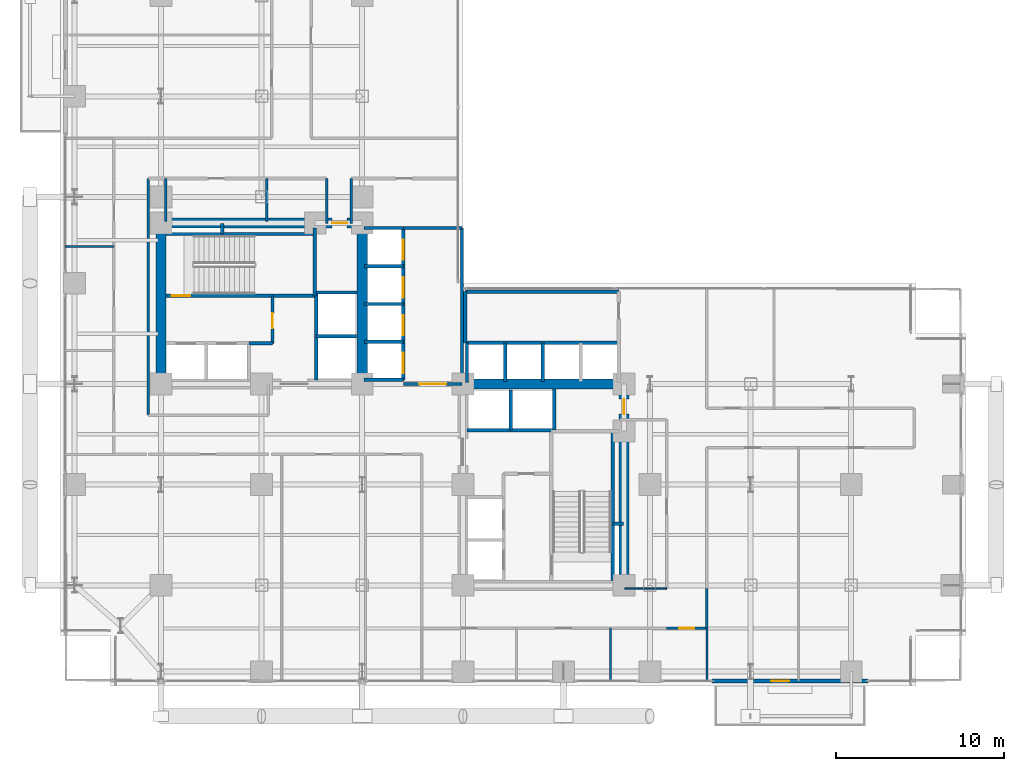
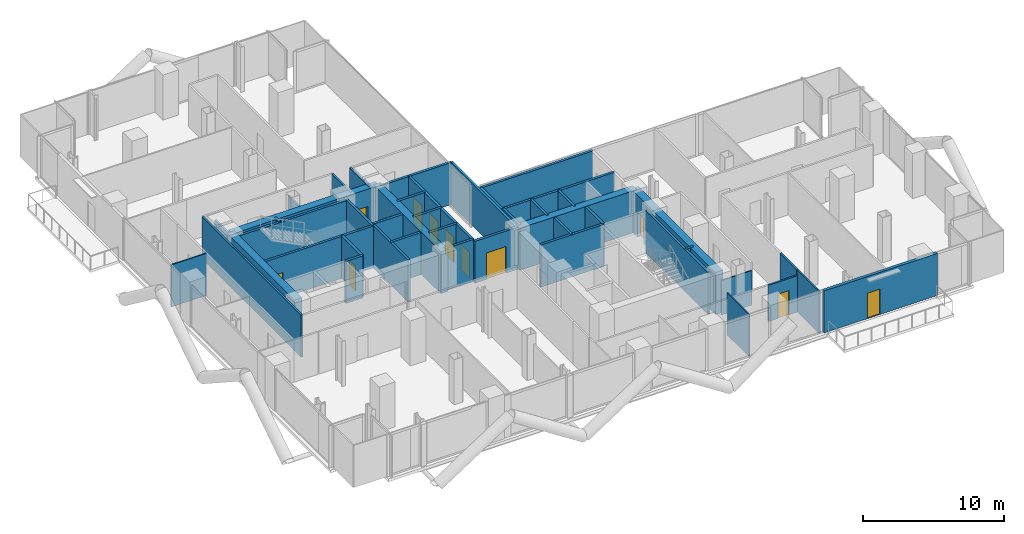
# One storey, part 22 of 27: 46 walls, 11 doors, 11 openings.
"""IFC4 building model written with IfcOpenShell, lengths in metres."""

from ifc_helpers import new_model, si_unit, direction, frame, frame_2d, origin, place, context, subcontext, project, spatial, rectangle, extrude, material, layer, layer_set, type_object, element, fill, save


model = new_model("IFC4")

# Units and contexts
model_context = context("Model", 3, precision=1e-05, world=origin(), true_north=direction((0.0, 1.0)))
body_context = subcontext(model_context, "Body", "Model", "MODEL_VIEW")
ifc_project = project(units=[si_unit("LENGTHUNIT", "METRE"), si_unit("AREAUNIT", "SQUARE_METRE"), si_unit("VOLUMEUNIT", "CUBIC_METRE"), si_unit("PLANEANGLEUNIT", "RADIAN"), si_unit("MASSUNIT", "GRAM", prefix="KILO"), si_unit("THERMODYNAMICTEMPERATUREUNIT", "KELVIN"), si_unit("POWERUNIT", "WATT")], contexts=[model_context])

# Site, building, storey
site_placement = place(None, origin())
site = spatial("IfcSite", under=ifc_project, at=site_placement, CompositionType="ELEMENT")
building_placement = place(site_placement, origin())
building = spatial("IfcBuilding", under=site, at=building_placement, Name="Svarakhadi Broadcast Tower", CompositionType="ELEMENT")
storey_placement = place(building_placement, frame((0.0, 0.0, 40.199951171875)))
storey = spatial("IfcBuildingStorey", under=building, at=storey_placement, Name="L08", CompositionType="ELEMENT", Elevation=40.199951171875)

# Wall, opening, door
ifc_material_1 = material(Name="Concrete C40/50 (IS 456 M50)", Category="concrete")
ifc_layer_1 = layer(ifc_material_1, 0.239990234375)
ifc_layer_set_1 = layer_set([ifc_layer_1], Name="Concrete C40/50 (IS 456 M50)")
wall_type_1 = type_object("IfcWallType", Name="Wall_Ext_240", PredefinedType="SOLIDWALL", material=ifc_layer_set_1)
wall_1_placement = place(storey_placement, frame((48.14501953125, 0.300048828125, 0.0), z_axis=(0.0, 0.0, 1.0), x_axis=(-1.0, 0.0, 0.0)))
wall_1 = element("IfcWall", 1, at=wall_1_placement, inside=storey, type_object=wall_type_1, Name="L08 South Tree Balcony Spandrel Wall", PredefinedType="SOLIDWALL", context=body_context, shape_type="SweptSolid", body=[
    extrude(rectangle(XDim=9.2900390625, YDim=0.239990234375, at=frame_2d((4.64501953125, 0.0))), origin(), (0.0, 0.0, 1.0), 3.650146484375),
])
opening_1_placement = place(wall_1_placement, frame((4.699951171875, 0.0, 0.0)))
opening_1 = element("IfcOpeningElement", 2, at=opening_1_placement, cuts=wall_1, Name="Opening ED-06", PredefinedType="OPENING", context=body_context, shape_type="SweptSolid", body=[
    extrude(rectangle(XDim=1.050048828125, YDim=2.199951171875, at=frame_2d((0.52490234375, 1.10009765625))), frame((0.0, 0.1298828125, 0.0), z_axis=(0.0, -1.0, 0.0), x_axis=(1.0, 0.0, 0.0)), (0.0, 0.0, 1.0), 0.260009765625),
])
ifc_material_2 = material(Name="Anodised Bronze Aluminium AA 6063-T6", Category="aluminium")
door_type_1 = type_object("IfcDoorType", Name="Door_Ext_ED06", OperationType="SINGLE_SWING_RIGHT", PredefinedType="DOOR", material=ifc_material_2)
door_1_placement = place(opening_1_placement, origin())
door_1 = element("IfcDoor", 3, at=door_1_placement, inside=storey, type_object=door_type_1, Name="L08 South Tree Balcony Door", OperationType="SINGLE_SWING_RIGHT", OverallHeight=2.199951171875, OverallWidth=1.050048828125, PredefinedType="DOOR", context=body_context, shape_type="SweptSolid", body=[
    extrude(rectangle(XDim=1.050048828125, YDim=2.199951171875, at=frame_2d((0.52490234375, 1.10009765625))), frame((0.0, 0.02490234375, 0.0), z_axis=(0.0, -1.0, 0.0), x_axis=(1.0, 0.0, 0.0)), (0.0, 0.0, 1.0), 0.050048828125),
])
fill(opening_1, door_1)

# Walls
ifc_layer_2 = layer(ifc_material_1, 0.199951171875)
ifc_layer_set_2 = layer_set([ifc_layer_2], Name="Concrete C40/50 (IS 456 M50)")
wall_type_2 = type_object("IfcWallType", Name="Wall_Fire_200", PredefinedType="SOLIDWALL", material=ifc_layer_set_2)
for number, where, z_axis, x_axis, name in (
    (4, (9.659912109375, 26.93994140625, 0.0), (0.0, 0.0, 1.0), (0.0, 1.0, 0.0), "L08 Wet Riser Shaft East Wall"),
    (5, (32.93994140625, 9.659912109375, 0.0), (0.0, 0.0, 1.0), (1.0, 0.0, 0.0), "L08 HV Busduct Riser Shaft North Wall"),
):
    element("IfcWall", number, at=place(storey_placement, frame(where, z_axis=z_axis, x_axis=x_axis)), inside=storey, type_object=wall_type_2, Name=name, PredefinedType="SOLIDWALL", context=body_context, shape_type="SweptSolid", body=[
        extrude(rectangle(XDim=0.64013671875, YDim=0.199951171875, at=frame_2d((0.320068359375, 0.0))), origin(), (0.0, 0.0, 1.0), 3.650146484375),
    ])
ifc_material_3 = material(Name="Fire-Rated Moisture-Resistant Gypsum Board Partition", Category="gypsum")
ifc_layer_3 = layer(ifc_material_3, 0.10009765625)
ifc_layer_set_3 = layer_set([ifc_layer_3], Name="Fire-Rated Moisture-Resistant Gypsum Board Partition")
wall_type_3 = type_object("IfcWallType", Name="Wall_Part_100", PredefinedType="PARTITIONING", material=ifc_layer_set_3)
wall_2_placement = place(storey_placement, frame((0.300048828125, 26.199951171875, 0.0), z_axis=(0.0, 0.0, 1.0), x_axis=(1.0, 0.0, 0.0)))
element("IfcWall", 6, at=wall_2_placement, inside=storey, type_object=wall_type_3, Name="L08 Live Translation Studio Wall", PredefinedType="PARTITIONING", context=body_context, shape_type="SweptSolid", body=[
    extrude(rectangle(XDim=2.89990234375, YDim=0.10009765625, at=frame_2d((1.449951171875, 0.0))), origin(), (0.0, 0.0, 1.0), 3.650146484375),
])
for number, where, z_axis, x_axis, name in (
    (7, (32.800048828125, 0.300048828125, 0.0), (0.0, 0.0, 1.0), (0.0, 1.0, 0.0), "L08 Media Legal Review Office Wall"),
    (8, (38.550048828125, 0.300048828125, 0.0), (0.0, 0.0, 1.0), (0.0, 1.0, 0.0), "L08 Broadcast Staff Refreshment Pantry Wall"),
):
    element("IfcWall", number, at=place(storey_placement, frame(where, z_axis=z_axis, x_axis=x_axis)), inside=storey, type_object=wall_type_3, Name=name, PredefinedType="PARTITIONING", context=body_context, shape_type="SweptSolid", body=[
        extrude(rectangle(XDim=3.14990234375, YDim=0.10009765625, at=frame_2d((1.574951171875, 0.0))), origin(), (0.0, 0.0, 1.0), 3.650146484375),
    ])
wall_3_placement = place(storey_placement, frame((33.64990234375, 5.800048828125, 0.0), z_axis=(0.0, 0.0, 1.0), x_axis=(1.0, 0.0, 0.0)))
element("IfcWall", 9, at=wall_3_placement, inside=storey, type_object=wall_type_3, Name="L08 Live Feed Monitoring Studio Wall", PredefinedType="PARTITIONING", context=body_context, shape_type="SweptSolid", body=[
    extrude(rectangle(XDim=2.5, YDim=0.10009765625, at=frame_2d((1.25, 0.0))), origin(), (0.0, 0.0, 1.0), 2.991943359375),
])
ifc_material_4 = material(Name="Autoclaved Aerated Concrete Blockwork 150 mm", Category="masonry")
ifc_layer_4 = layer(ifc_material_4, 0.14990234375)
ifc_layer_set_4 = layer_set([ifc_layer_4], Name="Autoclaved Aerated Concrete Blockwork 150 mm")
wall_type_4 = type_object("IfcWallType", Name="Wall_Part_150", PredefinedType="PARTITIONING", material=ifc_layer_set_4)
wall_4_placement = place(storey_placement, frame((38.550048828125, 5.800048828125, 0.0), z_axis=(0.0, 0.0, 1.0), x_axis=(0.0, -1.0, 0.0)))
element("IfcWall", 10, at=wall_4_placement, inside=storey, type_object=wall_type_4, Name="L08 Broadcast Corridor Wall", PredefinedType="PARTITIONING", context=body_context, shape_type="SweptSolid", body=[
    extrude(rectangle(XDim=2.35009765625, YDim=0.14990234375, at=frame_2d((1.175048828125, 0.0))), origin(), (0.0, 0.0, 1.0), 3.650146484375),
])

# Wall, opening, door
wall_5_placement = place(storey_placement, frame((38.550048828125, 3.449951171875, 0.0), z_axis=(0.0, 0.0, 1.0), x_axis=(-1.0, 0.0, 0.0)))
wall_5 = element("IfcWall", 11, at=wall_5_placement, inside=storey, type_object=wall_type_4, Name="L08 Broadcast Corridor Wall", PredefinedType="PARTITIONING", context=body_context, shape_type="SweptSolid", body=[
    extrude(rectangle(XDim=2.400146484375, YDim=0.14990234375, at=frame_2d((1.2001953125, 0.0))), origin(), (0.0, 0.0, 1.0), 3.14208984375),
])
opening_2_placement = place(wall_5_placement, frame((0.75, 0.0, 0.0)))
opening_2 = element("IfcOpeningElement", 12, at=opening_2_placement, cuts=wall_5, Name="Opening D-15", PredefinedType="OPENING", context=body_context, shape_type="SweptSolid", body=[
    extrude(rectangle(XDim=0.89990234375, YDim=2.10009765625, at=frame_2d((0.449951171875, 1.050048828125))), frame((0.0, 0.0849609375, 0.0), z_axis=(0.0, -1.0, 0.0), x_axis=(1.0, 0.0, 0.0)), (0.0, 0.0, 1.0), 0.169921875),
])
ifc_material_5 = material(Name="Solid-Core Teak Veneer Acoustic Timber Leaf", Category="wood")
door_type_2 = type_object("IfcDoorType", Name="Door_Int_D15", OperationType="SINGLE_SWING_RIGHT", PredefinedType="DOOR", material=ifc_material_5)
door_2_placement = place(opening_2_placement, origin())
door_2 = element("IfcDoor", 13, at=door_2_placement, inside=storey, type_object=door_type_2, Name="L08 Broadcast Staff Refreshment Pantry Door", OperationType="SINGLE_SWING_RIGHT", OverallHeight=2.10009765625, OverallWidth=0.89990234375, PredefinedType="DOOR", context=body_context, shape_type="SweptSolid", body=[
    extrude(rectangle(XDim=0.89990234375, YDim=2.10009765625, at=frame_2d((0.449951171875, 1.050048828125))), frame((0.0, 0.02490234375, 0.0), z_axis=(0.0, -1.0, 0.0), x_axis=(1.0, 0.0, 0.0)), (0.0, 0.0, 1.0), 0.050048828125),
])
fill(opening_2, door_2)

# Walls
for number, where, z_axis, x_axis, name in (
    (14, (17.35009765625, 30.25, 0.0), (0.0, 0.0, 1.0), (0.0, -1.0, 0.0), "L08 Broadcast Corridor Wall"),
    (15, (15.8798828125, 27.580078125, 0.0), (0.0, 0.0, 1.0), (0.0, 1.0, 0.0), "L08 Broadcast Corridor Wall"),
):
    element("IfcWall", number, at=place(storey_placement, frame(where, z_axis=z_axis, x_axis=x_axis)), inside=storey, type_object=wall_type_4, Name=name, PredefinedType="PARTITIONING", context=body_context, shape_type="SweptSolid", body=[
        extrude(rectangle(XDim=2.669921875, YDim=0.14990234375, at=frame_2d((1.3349609375, 0.0))), origin(), (0.0, 0.0, 1.0), 3.650146484375),
    ])
wall_6_placement = place(storey_placement, frame((5.25, 30.25, 0.0), z_axis=(0.0, 0.0, 1.0), x_axis=(0.0, -1.0, 0.0)))
element("IfcWall", 16, at=wall_6_placement, inside=storey, type_object=wall_type_4, Name="L08 Broadcast Corridor Wall", PredefinedType="PARTITIONING", context=body_context, shape_type="SweptSolid", body=[
    extrude(rectangle(XDim=14.10009765625, YDim=0.14990234375, at=frame_2d((7.050048828125, 0.0))), origin(), (0.0, 0.0, 1.0), 3.650146484375),
])
for number, where, z_axis, x_axis, name in (
    (17, (6.300048828125, 27.679931640625, 0.0), (0.0, 0.0, 1.0), (0.0, 1.0, 0.0), "L08 Accessible Toilet WC Wall"),
    (18, (12.300048828125, 27.679931640625, 0.0), (0.0, 0.0, 1.0), (0.0, 1.0, 0.0), "L08 Accessible Toilet WC Wall"),
):
    element("IfcWall", number, at=place(storey_placement, frame(where, z_axis=z_axis, x_axis=x_axis)), inside=storey, type_object=wall_type_4, Name=name, PredefinedType="PARTITIONING", context=body_context, shape_type="SweptSolid", body=[
        extrude(rectangle(XDim=2.570068359375, YDim=0.14990234375, at=frame_2d((1.28515625, 0.0))), origin(), (0.0, 0.0, 1.0), 2.991943359375),
    ])

# Wall, opening, door
ifc_material_6 = material(Name="Concrete C50/60 (IS 456 M60)", Category="concrete")
ifc_layer_5 = layer(ifc_material_6, 0.199951171875)
ifc_layer_set_5 = layer_set([ifc_layer_5], Name="Concrete C50/60 (IS 456 M60)")
wall_type_5 = type_object("IfcWallType", Name="Wall_Shear_200", PredefinedType="SHEAR", material=ifc_layer_set_5)
wall_7_placement = place(storey_placement, frame((6.300048828125, 23.260009765625, 0.0), z_axis=(0.0, 0.0, 1.0), x_axis=(1.0, 0.0, 0.0)))
wall_7 = element("IfcWall", 19, at=wall_7_placement, inside=storey, type_object=wall_type_5, Name="L08 Stair ST-01 South RC Shaft Wall", PredefinedType="SHEAR", context=body_context, shape_type="SweptSolid", body=[
    extrude(rectangle(XDim=8.8798828125, YDim=0.199951171875, at=frame_2d((4.43994140625, 0.0))), origin(), (0.0, 0.0, 1.0), 3.650146484375),
])
opening_3_placement = place(wall_7_placement, frame((0.35009765625, 0.0, 0.0)))
opening_3 = element("IfcOpeningElement", 20, at=opening_3_placement, cuts=wall_7, Name="Opening D-01", PredefinedType="OPENING", context=body_context, shape_type="SweptSolid", body=[
    extrude(rectangle(XDim=1.10009765625, YDim=2.199951171875, at=frame_2d((0.550048828125, 1.10009765625))), frame((0.0, 0.10986328125, 0.0), z_axis=(0.0, -1.0, 0.0), x_axis=(1.0, 0.0, 0.0)), (0.0, 0.0, 1.0), 0.219970703125),
])
ifc_material_7 = material(Name="Galvanised Powder-Coated Fire-Rated Steel Leaf", Category="steel")
door_type_3 = type_object("IfcDoorType", Name="Door_Stair_D01", OperationType="SINGLE_SWING_LEFT", PredefinedType="DOOR", material=ifc_material_7)
door_3_placement = place(opening_3_placement, origin())
door_3 = element("IfcDoor", 21, at=door_3_placement, inside=storey, type_object=door_type_3, Name="L08 Protected Exit Stair ST-01 Fire Door", OperationType="SINGLE_SWING_LEFT", OverallHeight=2.199951171875, OverallWidth=1.10009765625, PredefinedType="DOOR", context=body_context, shape_type="SweptSolid", body=[
    extrude(rectangle(XDim=1.10009765625, YDim=2.199951171875, at=frame_2d((0.550048828125, 1.10009765625))), frame((0.0, 0.02490234375, 0.0), z_axis=(0.0, -1.0, 0.0), x_axis=(1.0, 0.0, 0.0)), (0.0, 0.0, 1.0), 0.050048828125),
])
fill(opening_3, door_3)

# Walls
wall_8_placement = place(storey_placement, frame((6.300048828125, 26.93994140625, 0.0), z_axis=(0.0, 0.0, 1.0), x_axis=(1.0, 0.0, 0.0)))
element("IfcWall", 22, at=wall_8_placement, inside=storey, type_object=wall_type_5, Name="L08 Stair ST-01 North RC Shaft Wall", PredefinedType="SHEAR", context=body_context, shape_type="SweptSolid", body=[
    extrude(rectangle(XDim=8.8798828125, YDim=0.199951171875, at=frame_2d((4.43994140625, 0.0))), origin(), (0.0, 0.0, 1.0), 3.650146484375),
])
wall_9_placement = place(storey_placement, frame((15.179931640625, 23.260009765625, 0.0), z_axis=(0.0, 0.0, 1.0), x_axis=(0.0, 1.0, 0.0)))
element("IfcWall", 23, at=wall_9_placement, inside=storey, type_object=wall_type_5, Name="L08 Stair ST-01 East RC Shaft Wall", PredefinedType="SHEAR", context=body_context, shape_type="SweptSolid", body=[
    extrude(rectangle(XDim=4.0400390625, YDim=0.199951171875, at=frame_2d((2.02001953125, 0.0))), origin(), (0.0, 0.0, 1.0), 3.650146484375),
])
wall_10_placement = place(storey_placement, frame((32.93994140625, 6.300048828125, 0.0), z_axis=(0.0, 0.0, 1.0), x_axis=(0.0, 1.0, 0.0)))
element("IfcWall", 24, at=wall_10_placement, inside=storey, type_object=wall_type_5, Name="L08 Stair ST-02 East RC Shaft Wall", PredefinedType="SHEAR", context=body_context, shape_type="SweptSolid", body=[
    extrude(rectangle(XDim=8.8798828125, YDim=0.199951171875, at=frame_2d((4.43994140625, 0.0))), origin(), (0.0, 0.0, 1.0), 3.650146484375),
])
wall_11_placement = place(storey_placement, frame((11.25, 20.419921875, 0.0), z_axis=(0.0, 0.0, 1.0), x_axis=(1.0, 0.0, 0.0)))
element("IfcWall", 25, at=wall_11_placement, inside=storey, type_object=wall_type_5, Name="L08 West Firefighting Lobby South Wall", PredefinedType="SHEAR", context=body_context, shape_type="SweptSolid", body=[
    extrude(rectangle(XDim=1.39990234375, YDim=0.199951171875, at=frame_2d((0.699951171875, 0.0))), origin(), (0.0, 0.0, 1.0), 3.650146484375),
])

# Wall, opening, door
wall_12_placement = place(storey_placement, frame((12.64990234375, 20.419921875, 0.0), z_axis=(0.0, 0.0, 1.0), x_axis=(0.0, 1.0, 0.0)))
wall_12 = element("IfcWall", 26, at=wall_12_placement, inside=storey, type_object=wall_type_5, Name="L08 West Firefighting Lobby East Wall", PredefinedType="SHEAR", context=body_context, shape_type="SweptSolid", body=[
    extrude(rectangle(XDim=2.840087890625, YDim=0.199951171875, at=frame_2d((1.419921875, 0.0))), origin(), (0.0, 0.0, 1.0), 3.650146484375),
])
opening_4_placement = place(wall_12_placement, frame((0.89990234375, 0.0, 0.0)))
opening_4 = element("IfcOpeningElement", 27, at=opening_4_placement, cuts=wall_12, Name="Opening D-03", PredefinedType="OPENING", context=body_context, shape_type="SweptSolid", body=[
    extrude(rectangle(XDim=0.89990234375, YDim=2.14990234375, at=frame_2d((0.449951171875, 1.074951171875))), frame((0.0, 0.10986328125, 0.0), z_axis=(0.0, -1.0, 0.0), x_axis=(1.0, 0.0, 0.0)), (0.0, 0.0, 1.0), 0.219970703125),
])
door_type_4 = type_object("IfcDoorType", Name="Door_Fire_D03", OperationType="SINGLE_SWING_LEFT", PredefinedType="DOOR", material=ifc_material_7)
door_4_placement = place(opening_4_placement, origin())
door_4 = element("IfcDoor", 28, at=door_4_placement, inside=storey, type_object=door_type_4, Name="L08 West Firefighting Lobby Fire Door", OperationType="SINGLE_SWING_LEFT", OverallHeight=2.14990234375, OverallWidth=0.89990234375, PredefinedType="DOOR", context=body_context, shape_type="SweptSolid", body=[
    extrude(rectangle(XDim=0.89990234375, YDim=2.14990234375, at=frame_2d((0.449951171875, 1.074951171875))), frame((0.0, 0.02490234375, 0.0), z_axis=(0.0, -1.0, 0.0), x_axis=(1.0, 0.0, 0.0)), (0.0, 0.0, 1.0), 0.050048828125),
])
fill(opening_4, door_4)

# Walls
wall_13_placement = place(storey_placement, frame((15.25, 18.25, 0.0), z_axis=(0.0, 0.0, 1.0), x_axis=(0.0, 1.0, 0.0)))
element("IfcWall", 29, at=wall_13_placement, inside=storey, type_object=wall_type_5, Name="L08 High-Rise Lift LF-13/14 West Shaft Wall", PredefinedType="SHEAR", context=body_context, shape_type="SweptSolid", body=[
    extrude(rectangle(XDim=5.199951171875, YDim=0.199951171875, at=frame_2d((2.60009765625, 0.0))), origin(), (0.0, 0.0, 1.0), 3.650146484375),
])
wall_14_placement = place(storey_placement, frame((15.25, 20.85009765625, 0.0), z_axis=(0.0, 0.0, 1.0), x_axis=(1.0, 0.0, 0.0)))
element("IfcWall", 30, at=wall_14_placement, inside=storey, type_object=wall_type_5, Name="L08 High-Rise Lift LF-13/14 Divider", PredefinedType="SHEAR", context=body_context, shape_type="SweptSolid", body=[
    extrude(rectangle(XDim=2.39990234375, YDim=0.199951171875, at=frame_2d((1.199951171875, 0.0))), origin(), (0.0, 0.0, 1.0), 3.650146484375),
])
wall_15_placement = place(storey_placement, frame((15.25, 23.449951171875, 0.0), z_axis=(0.0, 0.0, 1.0), x_axis=(1.0, 0.0, 0.0)))
element("IfcWall", 31, at=wall_15_placement, inside=storey, type_object=wall_type_5, Name="L08 High-Rise Lift LF-13/14 North Wall", PredefinedType="SHEAR", context=body_context, shape_type="SweptSolid", body=[
    extrude(rectangle(XDim=2.449951171875, YDim=0.199951171875, at=frame_2d((1.22509765625, 0.0))), origin(), (0.0, 0.0, 1.0), 3.650146484375),
])
wall_16_placement = place(storey_placement, frame((24.25, 15.25, 0.0), z_axis=(0.0, 0.0, 1.0), x_axis=(1.0, 0.0, 0.0)))
element("IfcWall", 32, at=wall_16_placement, inside=storey, type_object=wall_type_5, Name="L08 High-Rise Lift LF-15/16 South Shaft Wall", PredefinedType="SHEAR", context=body_context, shape_type="SweptSolid", body=[
    extrude(rectangle(XDim=5.199951171875, YDim=0.199951171875, at=frame_2d((2.60009765625, 0.0))), origin(), (0.0, 0.0, 1.0), 3.650146484375),
])
wall_17_placement = place(storey_placement, frame((26.85009765625, 15.25, 0.0), z_axis=(0.0, 0.0, 1.0), x_axis=(0.0, 1.0, 0.0)))
element("IfcWall", 33, at=wall_17_placement, inside=storey, type_object=wall_type_5, Name="L08 High-Rise Lift LF-15/16 Divider", PredefinedType="SHEAR", context=body_context, shape_type="SweptSolid", body=[
    extrude(rectangle(XDim=2.39990234375, YDim=0.199951171875, at=frame_2d((1.199951171875, 0.0))), origin(), (0.0, 0.0, 1.0), 3.650146484375),
])
wall_18_placement = place(storey_placement, frame((29.449951171875, 15.25, 0.0), z_axis=(0.0, 0.0, 1.0), x_axis=(0.0, 1.0, 0.0)))
element("IfcWall", 34, at=wall_18_placement, inside=storey, type_object=wall_type_5, Name="L08 High-Rise Lift LF-15/16 East Wall", PredefinedType="SHEAR", context=body_context, shape_type="SweptSolid", body=[
    extrude(rectangle(XDim=2.449951171875, YDim=0.199951171875, at=frame_2d((1.22509765625, 0.0))), origin(), (0.0, 0.0, 1.0), 3.650146484375),
])
for number, where, z_axis, x_axis, name in (
    (35, (18.10009765625, 27.300048828125, 0.0), (0.0, 0.0, 1.0), (1.0, 0.0, 0.0), "L08 Bank A North Shaft Wall"),
    (36, (18.10009765625, 18.25, 0.0), (0.0, 0.0, 1.0), (1.0, 0.0, 0.0), "L08 Bank A South Shaft Wall"),
):
    element("IfcWall", number, at=place(storey_placement, frame(where, z_axis=z_axis, x_axis=x_axis)), inside=storey, type_object=wall_type_5, Name=name, PredefinedType="SHEAR", context=body_context, shape_type="SweptSolid", body=[
        extrude(rectangle(XDim=2.349853515625, YDim=0.199951171875, at=frame_2d((1.1748046875, 0.0))), origin(), (0.0, 0.0, 1.0), 3.650146484375),
    ])

# Wall, openings, doors
wall_19_placement = place(storey_placement, frame((20.449951171875, 18.25, 0.0), z_axis=(0.0, 0.0, 1.0), x_axis=(0.0, 1.0, 0.0)))
wall_19 = element("IfcWall", 37, at=wall_19_placement, inside=storey, type_object=wall_type_5, Name="L08 Bank A East Landing Wall", PredefinedType="SHEAR", context=body_context, shape_type="SweptSolid", body=[
    extrude(rectangle(XDim=9.050048828125, YDim=0.199951171875, at=frame_2d((4.52490234375, 0.0))), origin(), (0.0, 0.0, 1.0), 3.650146484375),
])
opening_5_placement = place(wall_19_placement, frame((0.39990234375, 0.0, 0.0)))
opening_5 = element("IfcOpeningElement", 38, at=opening_5_placement, cuts=wall_19, Name="Opening LD-02", PredefinedType="OPENING", context=body_context, shape_type="SweptSolid", body=[
    extrude(rectangle(XDim=1.199951171875, YDim=2.199951171875, at=frame_2d((0.60009765625, 1.10009765625))), frame((0.0, 0.10986328125, 0.0), z_axis=(0.0, -1.0, 0.0), x_axis=(1.0, 0.0, 0.0)), (0.0, 0.0, 1.0), 0.219970703125),
])
opening_6_placement = place(wall_19_placement, frame((2.64990234375, 0.0, 0.0)))
opening_6 = element("IfcOpeningElement", 39, at=opening_6_placement, cuts=wall_19, Name="Opening LD-02", PredefinedType="OPENING", context=body_context, shape_type="SweptSolid", body=[
    extrude(rectangle(XDim=1.199951171875, YDim=2.199951171875, at=frame_2d((0.60009765625, 1.10009765625))), frame((0.0, 0.10986328125, 0.0), z_axis=(0.0, -1.0, 0.0), x_axis=(1.0, 0.0, 0.0)), (0.0, 0.0, 1.0), 0.219970703125),
])
opening_7_placement = place(wall_19_placement, frame((4.89990234375, 0.0, 0.0)))
opening_7 = element("IfcOpeningElement", 40, at=opening_7_placement, cuts=wall_19, Name="Opening LD-02", PredefinedType="OPENING", context=body_context, shape_type="SweptSolid", body=[
    extrude(rectangle(XDim=1.199951171875, YDim=2.199951171875, at=frame_2d((0.60009765625, 1.10009765625))), frame((0.0, 0.10986328125, 0.0), z_axis=(0.0, -1.0, 0.0), x_axis=(1.0, 0.0, 0.0)), (0.0, 0.0, 1.0), 0.219970703125),
])
opening_8_placement = place(wall_19_placement, frame((7.14990234375, 0.0, 0.0)))
opening_8 = element("IfcOpeningElement", 41, at=opening_8_placement, cuts=wall_19, Name="Opening LD-02", PredefinedType="OPENING", context=body_context, shape_type="SweptSolid", body=[
    extrude(rectangle(XDim=1.199951171875, YDim=2.199951171875, at=frame_2d((0.60009765625, 1.10009765625))), frame((0.0, 0.10986328125, 0.0), z_axis=(0.0, -1.0, 0.0), x_axis=(1.0, 0.0, 0.0)), (0.0, 0.0, 1.0), 0.219970703125),
])
door_type_5 = type_object("IfcDoorType", Name="Door_Lift_LD02", OperationType="SLIDING_TO_RIGHT", PredefinedType="DOOR", material=ifc_material_7)
door_5_placement = place(opening_5_placement, origin())
door_5 = element("IfcDoor", 42, at=door_5_placement, inside=storey, type_object=door_type_5, Name="L08 Low-Rise Lift LF-05 Landing Door", OperationType="SLIDING_TO_RIGHT", OverallHeight=2.199951171875, OverallWidth=1.199951171875, PredefinedType="DOOR", context=body_context, shape_type="SweptSolid", body=[
    extrude(rectangle(XDim=1.199951171875, YDim=2.199951171875, at=frame_2d((0.60009765625, 1.10009765625))), frame((0.0, 0.02490234375, 0.0), z_axis=(0.0, -1.0, 0.0), x_axis=(1.0, 0.0, 0.0)), (0.0, 0.0, 1.0), 0.050048828125),
])
fill(opening_5, door_5)
door_6_placement = place(opening_6_placement, origin())
door_6 = element("IfcDoor", 43, at=door_6_placement, inside=storey, type_object=door_type_5, Name="L08 Low-Rise Lift LF-06 Landing Door", OperationType="SLIDING_TO_RIGHT", OverallHeight=2.199951171875, OverallWidth=1.199951171875, PredefinedType="DOOR", context=body_context, shape_type="SweptSolid", body=[
    extrude(rectangle(XDim=1.199951171875, YDim=2.199951171875, at=frame_2d((0.60009765625, 1.10009765625))), frame((0.0, 0.02490234375, 0.0), z_axis=(0.0, -1.0, 0.0), x_axis=(1.0, 0.0, 0.0)), (0.0, 0.0, 1.0), 0.050048828125),
])
fill(opening_6, door_6)
door_7_placement = place(opening_7_placement, origin())
door_7 = element("IfcDoor", 44, at=door_7_placement, inside=storey, type_object=door_type_5, Name="L08 Low-Rise Lift LF-07 Landing Door", OperationType="SLIDING_TO_RIGHT", OverallHeight=2.199951171875, OverallWidth=1.199951171875, PredefinedType="DOOR", context=body_context, shape_type="SweptSolid", body=[
    extrude(rectangle(XDim=1.199951171875, YDim=2.199951171875, at=frame_2d((0.60009765625, 1.10009765625))), frame((0.0, 0.02490234375, 0.0), z_axis=(0.0, -1.0, 0.0), x_axis=(1.0, 0.0, 0.0)), (0.0, 0.0, 1.0), 0.050048828125),
])
fill(opening_7, door_7)
door_8_placement = place(opening_8_placement, origin())
door_8 = element("IfcDoor", 45, at=door_8_placement, inside=storey, type_object=door_type_5, Name="L08 Low-Rise Lift LF-08 Landing Door", OperationType="SLIDING_TO_RIGHT", OverallHeight=2.199951171875, OverallWidth=1.199951171875, PredefinedType="DOOR", context=body_context, shape_type="SweptSolid", body=[
    extrude(rectangle(XDim=1.199951171875, YDim=2.199951171875, at=frame_2d((0.60009765625, 1.10009765625))), frame((0.0, 0.02490234375, 0.0), z_axis=(0.0, -1.0, 0.0), x_axis=(1.0, 0.0, 0.0)), (0.0, 0.0, 1.0), 0.050048828125),
])
fill(opening_8, door_8)

# Walls
for number, where, z_axis, x_axis, name in (
    (46, (18.14990234375, 20.52001953125, 0.0), (0.0, 0.0, 1.0), (1.0, 0.0, 0.0), "L08 Bank A Divider"),
    (47, (18.14990234375, 22.77001953125, 0.0), (0.0, 0.0, 1.0), (1.0, 0.0, 0.0), "L08 Bank A Divider"),
    (48, (18.14990234375, 25.02001953125, 0.0), (0.0, 0.0, 1.0), (1.0, 0.0, 0.0), "L08 Bank A Divider"),
):
    element("IfcWall", number, at=place(storey_placement, frame(where, z_axis=z_axis, x_axis=x_axis)), inside=storey, type_object=wall_type_5, Name=name, PredefinedType="SHEAR", context=body_context, shape_type="SweptSolid", body=[
        extrude(rectangle(XDim=2.300048828125, YDim=0.199951171875, at=frame_2d((1.14990234375, 0.0))), origin(), (0.0, 0.0, 1.0), 3.650146484375),
    ])

# Wall, opening, door
wall_20_placement = place(storey_placement, frame((20.449951171875, 18.0, 0.0), z_axis=(0.0, 0.0, 1.0), x_axis=(1.0, 0.0, 0.0)))
wall_20 = element("IfcWall", 49, at=wall_20_placement, inside=storey, type_object=wall_type_5, Name="L08 Bank A Lift Hall South Wall", PredefinedType="SHEAR", context=body_context, shape_type="SweptSolid", body=[
    extrude(rectangle(XDim=3.5, YDim=0.199951171875, at=frame_2d((1.75, 0.0))), origin(), (0.0, 0.0, 1.0), 3.650146484375),
])
opening_9_placement = place(wall_20_placement, frame((0.949951171875, 0.0, 0.0)))
opening_9 = element("IfcOpeningElement", 50, at=opening_9_placement, cuts=wall_20, Name="Opening D-05", PredefinedType="OPENING", context=body_context, shape_type="SweptSolid", body=[
    extrude(rectangle(XDim=1.60009765625, YDim=2.300048828125, at=frame_2d((0.800048828125, 1.14990234375))), frame((0.0, 0.10986328125, 0.0), z_axis=(0.0, -1.0, 0.0), x_axis=(1.0, 0.0, 0.0)), (0.0, 0.0, 1.0), 0.219970703125),
])
door_type_6 = type_object("IfcDoorType", Name="Door_Lobby_D05", OperationType="DOUBLE_DOOR_SLIDING", PredefinedType="DOOR", material=ifc_material_2)
door_9_placement = place(opening_9_placement, origin())
door_9 = element("IfcDoor", 51, at=door_9_placement, inside=storey, type_object=door_type_6, Name="L08 Low-Rise Lift Hall Corridor Door", OperationType="DOUBLE_DOOR_SLIDING", OverallHeight=2.300048828125, OverallWidth=1.60009765625, PredefinedType="DOOR", context=body_context, shape_type="SweptSolid", body=[
    extrude(rectangle(XDim=1.60009765625, YDim=2.300048828125, at=frame_2d((0.800048828125, 1.14990234375))), frame((0.0, 0.02490234375, 0.0), z_axis=(0.0, -1.0, 0.0), x_axis=(1.0, 0.0, 0.0)), (0.0, 0.0, 1.0), 0.050048828125),
])
fill(opening_9, door_9)

# Walls
wall_21_placement = place(storey_placement, frame((20.449951171875, 27.300048828125, 0.0), z_axis=(0.0, 0.0, 1.0), x_axis=(1.0, 0.0, 0.0)))
element("IfcWall", 52, at=wall_21_placement, inside=storey, type_object=wall_type_5, Name="L08 Bank A Lift Hall North Wall", PredefinedType="SHEAR", context=body_context, shape_type="SweptSolid", body=[
    extrude(rectangle(XDim=3.5, YDim=0.199951171875, at=frame_2d((1.75, 0.0))), origin(), (0.0, 0.0, 1.0), 3.650146484375),
])
wall_22_placement = place(storey_placement, frame((23.949951171875, 18.0, 0.0), z_axis=(0.0, 0.0, 1.0), x_axis=(0.0, 1.0, 0.0)))
element("IfcWall", 53, at=wall_22_placement, inside=storey, type_object=wall_type_5, Name="L08 Bank A Lift Hall East Wall", PredefinedType="SHEAR", context=body_context, shape_type="SweptSolid", body=[
    extrude(rectangle(XDim=9.300048828125, YDim=0.199951171875, at=frame_2d((4.64990234375, 0.0))), origin(), (0.0, 0.0, 1.0), 3.650146484375),
])
wall_23_placement = place(storey_placement, frame((24.25, 18.10009765625, 0.0), z_axis=(0.0, 0.0, 1.0), x_axis=(0.0, 1.0, 0.0)))
element("IfcWall", 54, at=wall_23_placement, inside=storey, type_object=wall_type_5, Name="L08 Bank B West Shaft Wall", PredefinedType="SHEAR", context=body_context, shape_type="SweptSolid", body=[
    extrude(rectangle(XDim=2.349853515625, YDim=0.199951171875, at=frame_2d((1.1748046875, 0.0))), origin(), (0.0, 0.0, 1.0), 3.650146484375),
])
wall_24_placement = place(storey_placement, frame((24.25, 20.449951171875, 0.0), z_axis=(0.0, 0.0, 1.0), x_axis=(1.0, 0.0, 0.0)))
element("IfcWall", 55, at=wall_24_placement, inside=storey, type_object=wall_type_5, Name="L08 Bank B North Landing Wall", PredefinedType="SHEAR", context=body_context, shape_type="SweptSolid", body=[
    extrude(rectangle(XDim=9.050048828125, YDim=0.199951171875, at=frame_2d((4.52490234375, 0.0))), origin(), (0.0, 0.0, 1.0), 3.650146484375),
])
for number, where, z_axis, x_axis, name in (
    (56, (26.52001953125, 18.14990234375, 0.0), (0.0, 0.0, 1.0), (0.0, 1.0, 0.0), "L08 Bank B Divider"),
    (57, (28.77001953125, 18.14990234375, 0.0), (0.0, 0.0, 1.0), (0.0, 1.0, 0.0), "L08 Bank B Divider"),
):
    element("IfcWall", number, at=place(storey_placement, frame(where, z_axis=z_axis, x_axis=x_axis)), inside=storey, type_object=wall_type_5, Name=name, PredefinedType="SHEAR", context=body_context, shape_type="SweptSolid", body=[
        extrude(rectangle(XDim=2.300048828125, YDim=0.199951171875, at=frame_2d((1.14990234375, 0.0))), origin(), (0.0, 0.0, 1.0), 3.650146484375),
    ])
wall_25_placement = place(storey_placement, frame((24.14990234375, 23.5, 0.0), z_axis=(0.0, 0.0, 1.0), x_axis=(1.0, 0.0, 0.0)))
element("IfcWall", 58, at=wall_25_placement, inside=storey, type_object=wall_type_5, Name="L08 Bank B Lift Hall North Wall", PredefinedType="SHEAR", context=body_context, shape_type="SweptSolid", body=[
    extrude(rectangle(XDim=9.150146484375, YDim=0.199951171875, at=frame_2d((4.5751953125, 0.0))), origin(), (0.0, 0.0, 1.0), 3.650146484375),
])
wall_26_placement = place(storey_placement, frame((24.14990234375, 20.449951171875, 0.0), z_axis=(0.0, 0.0, 1.0), x_axis=(0.0, 1.0, 0.0)))
element("IfcWall", 59, at=wall_26_placement, inside=storey, type_object=wall_type_5, Name="L08 Bank B Lift Hall West Wall", PredefinedType="SHEAR", context=body_context, shape_type="SweptSolid", body=[
    extrude(rectangle(XDim=3.050048828125, YDim=0.199951171875, at=frame_2d((1.52490234375, 0.0))), origin(), (0.0, 0.0, 1.0), 3.650146484375),
])

# Wall, opening, door
ifc_material_8 = material(Name="Concrete C60/75 (IS 456 M70)", Category="concrete")
ifc_layer_6 = layer(ifc_material_8, 0.60009765625)
ifc_layer_set_6 = layer_set([ifc_layer_6], Name="Concrete C60/75 (IS 456 M70)")
wall_type_6 = type_object("IfcWallType", Name="Wall_Shear_600", PredefinedType="SHEAR", material=ifc_layer_set_6)
wall_27_placement = place(storey_placement, frame((6.0, 27.60009765625, 0.0), z_axis=(0.0, 0.0, 1.0), x_axis=(1.0, 0.0, 0.0)))
wall_27 = element("IfcWall", 60, at=wall_27_placement, inside=storey, type_object=wall_type_6, Name="L08 West Core North Shear Wall", PredefinedType="SHEAR", context=body_context, shape_type="SweptSolid", body=[
    extrude(rectangle(XDim=12.0, YDim=0.60009765625, at=frame_2d((6.0, 0.0))), origin(), (0.0, 0.0, 1.0), 3.650146484375),
])
opening_10_placement = place(wall_27_placement, frame((10.199951171875, 0.0, 0.0)))
opening_10 = element("IfcOpeningElement", 61, at=opening_10_placement, cuts=wall_27, Name="Opening D-04", PredefinedType="OPENING", context=body_context, shape_type="SweptSolid", body=[
    extrude(rectangle(XDim=0.89990234375, YDim=2.14990234375, at=frame_2d((0.449951171875, 1.074951171875))), frame((0.0, 0.31005859375, 0.0), z_axis=(0.0, -1.0, 0.0), x_axis=(1.0, 0.0, 0.0)), (0.0, 0.0, 1.0), 0.6201171875),
])
door_type_7 = type_object("IfcDoorType", Name="Door_Fire_D04", OperationType="SINGLE_SWING_RIGHT", PredefinedType="DOOR", material=ifc_material_7)
door_10_placement = place(opening_10_placement, origin())
door_10 = element("IfcDoor", 62, at=door_10_placement, inside=storey, type_object=door_type_7, Name="L08 Core Service Room West Door", OperationType="SINGLE_SWING_RIGHT", OverallHeight=2.14990234375, OverallWidth=0.89990234375, PredefinedType="DOOR", context=body_context, shape_type="SweptSolid", body=[
    extrude(rectangle(XDim=0.89990234375, YDim=2.14990234375, at=frame_2d((0.449951171875, 1.074951171875))), frame((0.0, 0.02490234375, 0.0), z_axis=(0.0, -1.0, 0.0), x_axis=(1.0, 0.0, 0.0)), (0.0, 0.0, 1.0), 0.050048828125),
])
fill(opening_10, door_10)

# Walls
for number, where, z_axis, x_axis, name in (
    (63, (6.0, 18.0, 0.0), (0.0, 0.0, 1.0), (0.0, 1.0, 0.0), "L08 West Core West Shear Wall"),
    (64, (18.0, 18.0, 0.0), (0.0, 0.0, 1.0), (0.0, 1.0, 0.0), "L08 West Core East Shear Wall"),
    (65, (24.0, 18.0, 0.0), (0.0, 0.0, 1.0), (1.0, 0.0, 0.0), "L08 East Core North Shear Wall"),
):
    element("IfcWall", number, at=place(storey_placement, frame(where, z_axis=z_axis, x_axis=x_axis)), inside=storey, type_object=wall_type_6, Name=name, PredefinedType="SHEAR", context=body_context, shape_type="SweptSolid", body=[
        extrude(rectangle(XDim=9.60009765625, YDim=0.60009765625, at=frame_2d((4.800048828125, 0.0))), origin(), (0.0, 0.0, 1.0), 3.650146484375),
    ])

# Wall, opening, door
wall_28_placement = place(storey_placement, frame((33.60009765625, 6.0, 0.0), z_axis=(0.0, 0.0, 1.0), x_axis=(0.0, 1.0, 0.0)))
wall_28 = element("IfcWall", 66, at=wall_28_placement, inside=storey, type_object=wall_type_6, Name="L08 East Core East Shear Wall", PredefinedType="SHEAR", context=body_context, shape_type="SweptSolid", body=[
    extrude(rectangle(XDim=12.0, YDim=0.60009765625, at=frame_2d((6.0, 0.0))), origin(), (0.0, 0.0, 1.0), 3.650146484375),
])
opening_11_placement = place(wall_28_placement, frame((10.199951171875, 0.0, 0.0)))
opening_11 = element("IfcOpeningElement", 67, at=opening_11_placement, cuts=wall_28, Name="Opening D-04", PredefinedType="OPENING", context=body_context, shape_type="SweptSolid", body=[
    extrude(rectangle(XDim=0.89990234375, YDim=2.14990234375, at=frame_2d((0.449951171875, 1.074951171875))), frame((0.0, 0.31005859375, 0.0), z_axis=(0.0, -1.0, 0.0), x_axis=(1.0, 0.0, 0.0)), (0.0, 0.0, 1.0), 0.6201171875),
])
door_11_placement = place(opening_11_placement, origin())
door_11 = element("IfcDoor", 68, at=door_11_placement, inside=storey, type_object=door_type_7, Name="L08 Core Service Room East Door", OperationType="SINGLE_SWING_RIGHT", OverallHeight=2.14990234375, OverallWidth=0.89990234375, PredefinedType="DOOR", context=body_context, shape_type="SweptSolid", body=[
    extrude(rectangle(XDim=0.89990234375, YDim=2.14990234375, at=frame_2d((0.449951171875, 1.074951171875))), frame((0.0, 0.02490234375, 0.0), z_axis=(0.0, -1.0, 0.0), x_axis=(1.0, 0.0, 0.0)), (0.0, 0.0, 1.0), 0.050048828125),
])
fill(opening_11, door_11)

save(model, "model.ifc")
